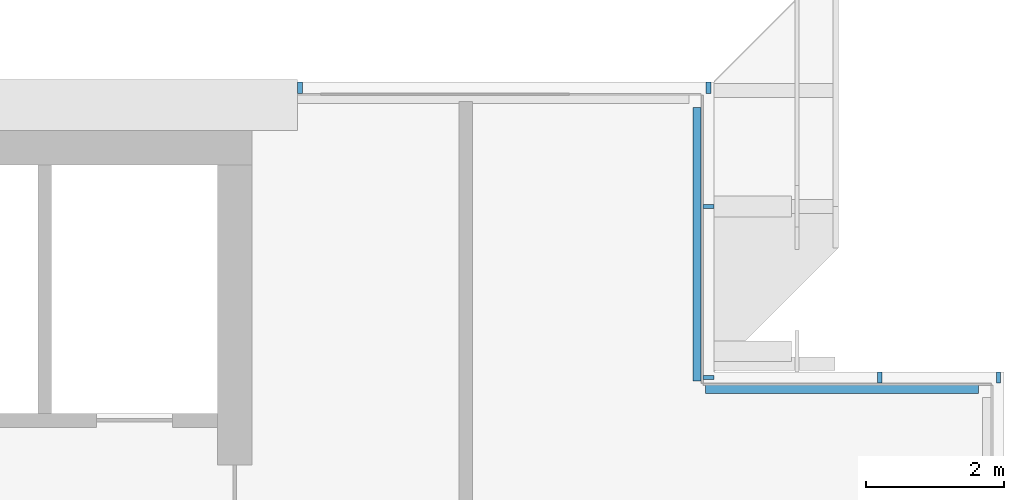
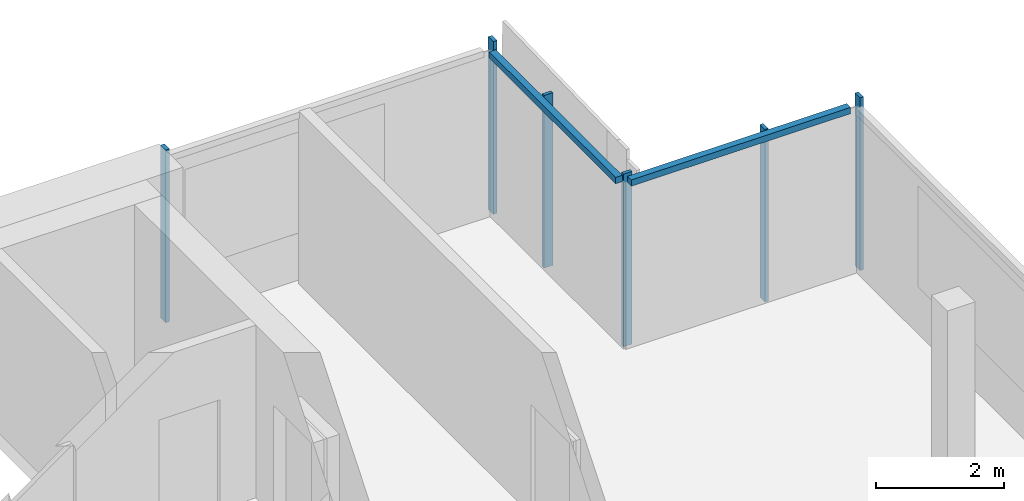
# One storey, part 9 of 19: 8 members, 3 elements without a shape of their own.
"""IFC4 building model written with IfcOpenShell, lengths in metres."""

from ifc_helpers import new_model, si_unit, direction, frame, origin, origin_2d, place, context, subcontext, project, spatial, rectangle, extrude, material, material_profile, profile_set, type_object, element, aggregate, save


model = new_model("IFC4")

# Units and contexts
model_context = context("Model", 3, precision=1e-05, world=origin(), true_north=direction((0.0, 1.0)))
body_context = subcontext(model_context, "Body", "Model", "MODEL_VIEW")
ifc_project = project(units=[si_unit("LENGTHUNIT", "METRE"), si_unit("AREAUNIT", "SQUARE_METRE"), si_unit("VOLUMEUNIT", "CUBIC_METRE"), si_unit("PLANEANGLEUNIT", "RADIAN"), si_unit("MASSUNIT", "GRAM", prefix="KILO")], contexts=[model_context])

# Site, building, storey
site_placement = place(None, origin())
site = spatial("IfcSite", under=ifc_project, at=site_placement, CompositionType="ELEMENT")
building_placement = place(site_placement, origin())
building = spatial("IfcBuilding", under=site, at=building_placement, Name="Saffron Gate Tower", CompositionType="ELEMENT")
storey_placement = place(building_placement, frame((0.0, 0.0, 306.75)))
storey = spatial("IfcBuildingStorey", under=building, at=storey_placement, Name="L75", CompositionType="ELEMENT", Elevation=306.75)

# Curtain wall, members
ifc_material = material(Name="Aluminium, bronze anodised", Category="aluminium")
curtain_wall_type_1 = type_object("IfcCurtainWallType", Name="CWS3 curtain wall rear facade", PredefinedType="NOTDEFINED", material=ifc_material)
curtain_wall_1_placement = place(storey_placement, origin())
curtain_wall_1 = element("IfcCurtainWall", 1, at=curtain_wall_1_placement, inside=storey, type_object=curtain_wall_type_1, Name="CWS3 run 7", PredefinedType="NOTDEFINED")
ifc_material_profile_1 = material_profile(ifc_material, rectangle(XDim=0.159912109375, YDim=0.070068359375, at=origin_2d()))
ifc_profile_set_1 = profile_set([ifc_material_profile_1], Name="Aluminium, bronze anodised")
member_type_1 = type_object("IfcMemberType", Name="CWS3 mullion 70x160", PredefinedType="MULLION", material=ifc_profile_set_1)
member_1_placement = place(storey_placement, frame((114.52001953125, 75.52001953125, 0.0), z_axis=(0.0, 0.0, 1.0), x_axis=(0.0, -1.0, 0.0)))
member_1 = element("IfcMember", 2, at=member_1_placement, type_object=member_type_1, Name="CWS3 mullion 1", PredefinedType="MULLION", context=body_context, shape_type="SweptSolid", body=[
    extrude(rectangle(XDim=0.159912109375, YDim=0.070068359375, at=origin_2d()), origin(), (0.0, 0.0, 1.0), 3.300048828125),
])
member_2_placement = place(storey_placement, frame((108.60009765625, 75.52001953125, 0.0), z_axis=(0.0, 0.0, 1.0), x_axis=(0.0, -1.0, 0.0)))
member_2 = element("IfcMember", 3, at=member_2_placement, type_object=member_type_1, Name="CWS3 mullion 2", PredefinedType="MULLION", context=body_context, shape_type="SweptSolid", body=[
    extrude(rectangle(XDim=0.159912109375, YDim=0.070068359375, at=origin_2d()), origin(), (0.0, 0.0, 1.0), 3.300048828125),
])
aggregate(curtain_wall_1, [member_1, member_2])

# Curtain wall, member
curtain_wall_type_2 = type_object("IfcCurtainWallType", Name="CWS4 curtain wall corner returns", PredefinedType="NOTDEFINED", material=ifc_material)
curtain_wall_2_placement = place(storey_placement, origin())
curtain_wall_2 = element("IfcCurtainWall", 4, at=curtain_wall_2_placement, inside=storey, type_object=curtain_wall_type_2, Name="CWS4 run 5", PredefinedType="NOTDEFINED")
ifc_material_profile_2 = material_profile(ifc_material, rectangle(XDim=0.1201171875, YDim=0.1201171875, at=origin_2d()))
ifc_profile_set_2 = profile_set([ifc_material_profile_2], Name="Aluminium, bronze anodised")
member_type_2 = type_object("IfcMemberType", Name="CWS4 head transom", PredefinedType="USERDEFINED", material=ifc_profile_set_2)
member_3_placement = place(storey_placement, frame((118.431884765625, 71.152099609375, 3.239990234375), z_axis=(-1.0, 0.0, 0.0), x_axis=(0.0, -1.0, 0.0)))
member_3 = element("IfcMember", 5, at=member_3_placement, type_object=member_type_2, Name="CWS4 head transom", ObjectType="TRANSOM", PredefinedType="USERDEFINED", context=body_context, shape_type="SweptSolid", body=[
    extrude(rectangle(XDim=0.1201171875, YDim=0.1201171875, at=origin_2d()), origin(), (0.0, 0.0, 1.0), 3.9599609375),
])

curtain_wall_3_placement = place(storey_placement, origin())
curtain_wall_3 = element("IfcCurtainWall", 6, at=curtain_wall_3_placement, inside=storey, type_object=curtain_wall_type_2, Name="CWS4 run 6", PredefinedType="NOTDEFINED")
member_4_placement = place(storey_placement, frame((114.35205078125, 71.27197265625, 3.239990234375), z_axis=(0.0, 1.0, 0.0), x_axis=(-1.0, 0.0, 0.0)))
member_4 = element("IfcMember", 7, at=member_4_placement, type_object=member_type_2, Name="CWS4 head transom", ObjectType="TRANSOM", PredefinedType="USERDEFINED", context=body_context, shape_type="SweptSolid", body=[
    extrude(rectangle(XDim=0.1201171875, YDim=0.1201171875, at=origin_2d()), origin(), (0.0, 0.0, 1.0), 3.9599609375),
])

# Member
ifc_material_profile_3 = material_profile(ifc_material, rectangle(XDim=0.159912109375, YDim=0.06005859375, at=origin_2d()))
ifc_profile_set_3 = profile_set([ifc_material_profile_3], Name="Aluminium, bronze anodised")
member_type_3 = type_object("IfcMemberType", Name="CWS4 mullion 60x160", PredefinedType="MULLION", material=ifc_profile_set_3)
member_5_placement = place(storey_placement, frame((118.719970703125, 71.320068359375, 0.0), z_axis=(0.0, 0.0, 1.0), x_axis=(0.0, -1.0, 0.0)))
member_5 = element("IfcMember", 8, at=member_5_placement, type_object=member_type_3, Name="CWS4 mullion 1", PredefinedType="MULLION", context=body_context, shape_type="SweptSolid", body=[
    extrude(rectangle(XDim=0.159912109375, YDim=0.06005859375, at=origin_2d()), origin(), (0.0, 0.0, 1.0), 3.300048828125),
])

member_6_placement = place(storey_placement, frame((117.0, 71.320068359375, 0.0), z_axis=(0.0, 0.0, 1.0), x_axis=(0.0, -1.0, 0.0)))
member_6 = element("IfcMember", 9, at=member_6_placement, type_object=member_type_3, Name="CWS4 mullion 2", PredefinedType="MULLION", context=body_context, shape_type="SweptSolid", body=[
    extrude(rectangle(XDim=0.159912109375, YDim=0.06005859375, at=origin_2d()), origin(), (0.0, 0.0, 1.0), 3.300048828125),
])

aggregate(curtain_wall_2, [member_5, member_6, member_3])

member_7_placement = place(storey_placement, frame((114.52001953125, 71.320068359375, 0.0), z_axis=(0.0, 0.0, 1.0), x_axis=(-1.0, 0.0, 0.0)))
member_7 = element("IfcMember", 10, at=member_7_placement, type_object=member_type_3, Name="CWS4 mullion 1", PredefinedType="MULLION", context=body_context, shape_type="SweptSolid", body=[
    extrude(rectangle(XDim=0.159912109375, YDim=0.06005859375, at=origin_2d()), origin(), (0.0, 0.0, 1.0), 3.300048828125),
])

member_8_placement = place(storey_placement, frame((114.52001953125, 73.800048828125, 0.0), z_axis=(0.0, 0.0, 1.0), x_axis=(-1.0, 0.0, 0.0)))
member_8 = element("IfcMember", 11, at=member_8_placement, type_object=member_type_3, Name="CWS4 mullion 2", PredefinedType="MULLION", context=body_context, shape_type="SweptSolid", body=[
    extrude(rectangle(XDim=0.159912109375, YDim=0.06005859375, at=origin_2d()), origin(), (0.0, 0.0, 1.0), 3.300048828125),
])

aggregate(curtain_wall_3, [member_7, member_8, member_4])

save(model, "model.ifc")
